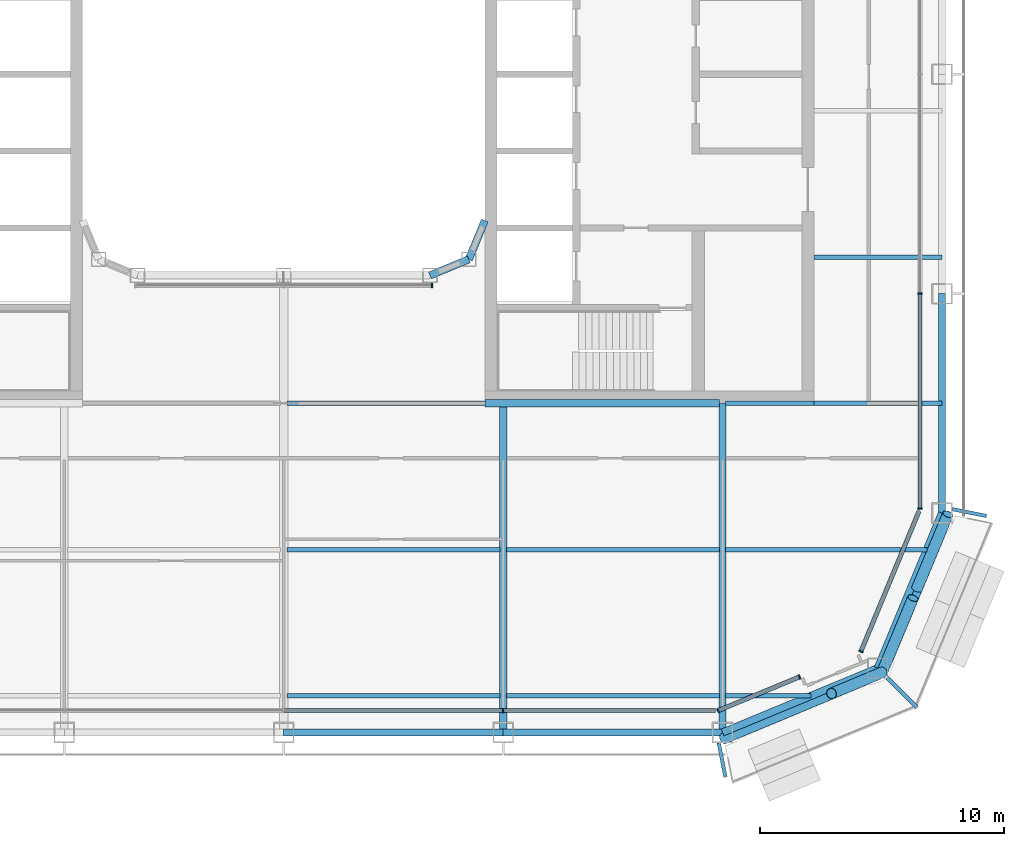
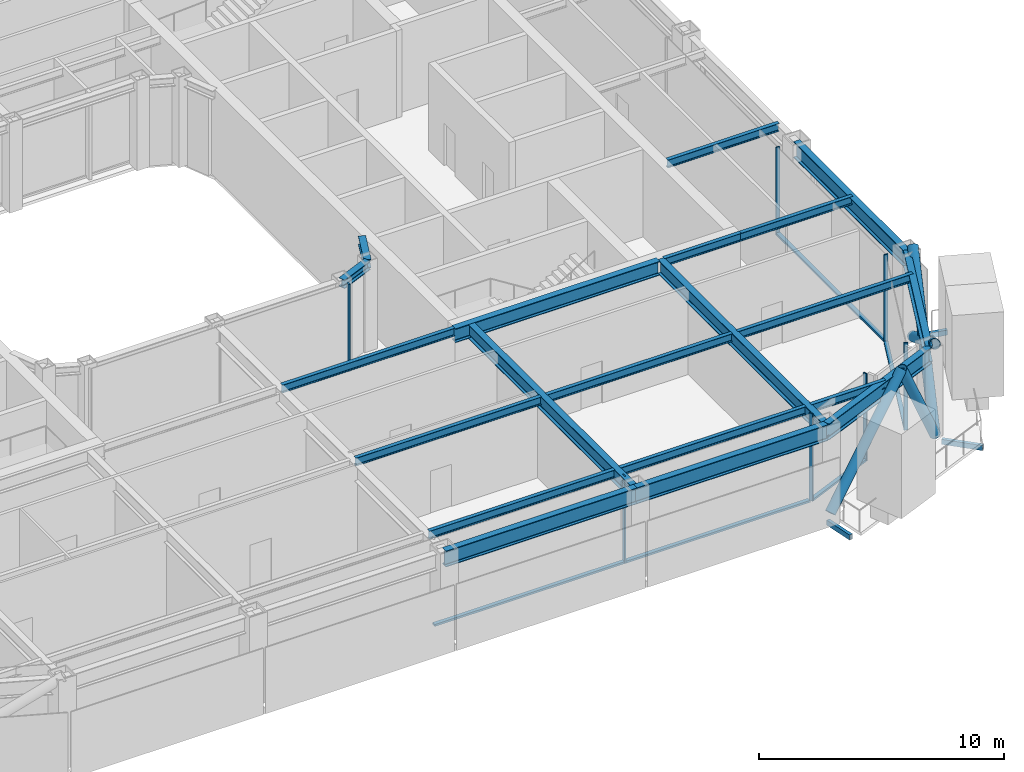
# One storey, part 4 of 22: 23 beams, 17 members, 5 elements without a shape of their own.
"""IFC4 building model written with IfcOpenShell, lengths in metres."""

from ifc_helpers import new_model, si_unit, direction, frame, origin, origin_2d, place, context, subcontext, project, spatial, rectangle, hollow_rectangle, hollow_circle, i_section, extrude, material, layer, layer_set, material_profile, profile_set, type_object, element, aggregate, save


model = new_model("IFC4")

# Units and contexts
model_context = context("Model", 3, precision=1e-05, world=origin(), true_north=direction((0.0, 1.0)))
body_context = subcontext(model_context, "Body", "Model", "MODEL_VIEW")
ifc_project = project(units=[si_unit("LENGTHUNIT", "METRE"), si_unit("AREAUNIT", "SQUARE_METRE"), si_unit("VOLUMEUNIT", "CUBIC_METRE"), si_unit("PLANEANGLEUNIT", "RADIAN"), si_unit("MASSUNIT", "GRAM", prefix="KILO")], contexts=[model_context])

# Site, building, storey
site_placement = place(None, origin())
site = spatial("IfcSite", under=ifc_project, at=site_placement, CompositionType="ELEMENT")
building_placement = place(site_placement, origin())
building = spatial("IfcBuilding", under=site, at=building_placement, Name="Siwar Civic Tower", CompositionType="ELEMENT")
storey_placement = place(building_placement, frame((0.0, 0.0, 219.699951171875)))
storey = spatial("IfcBuildingStorey", under=building, at=storey_placement, Name="L47", CompositionType="ELEMENT", Elevation=219.699951171875)

# Beams
ifc_material_1 = material(Name="Steel S355", Category="steel")
ifc_material_profile_1 = material_profile(ifc_material_1, hollow_rectangle(XDim=0.14990234375, YDim=0.25, WallThickness=0.010009765625, at=origin_2d()), Name="RHS250x150x10")
ifc_profile_set_1 = profile_set([ifc_material_profile_1], Name="Steel S355")
beam_type_1 = type_object("IfcBeamType", Name="ENV-BALCONY ARM", PredefinedType="BEAM", material=ifc_profile_set_1)
beam_1_placement = place(storey_placement, frame((17.83984375, -27.425048828125, -0.27490234375), z_axis=(0.195122471741, -0.980778884878, 0.0), x_axis=(0.980778884878, 0.195122471741, 0.0)))
element("IfcBeam", 1, at=beam_1_placement, inside=storey, type_object=beam_type_1, Name="Balcony cantilever beam SE 1", PredefinedType="BEAM", context=body_context, shape_type="SweptSolid", body=[
    extrude(hollow_rectangle(XDim=0.14990234375, YDim=0.25, WallThickness=0.010009765625, at=origin_2d()), origin(), (0.0, 0.0, 1.0), 1.417724609375),
])
beam_2_placement = place(storey_placement, frame((24.753662109375, -24.753662109375, -0.27490234375), z_axis=(0.707106781187, -0.707106781187, 0.0), x_axis=(0.707106781187, 0.707106781187, 0.0)))
element("IfcBeam", 2, at=beam_2_placement, inside=storey, type_object=beam_type_1, Name="Balcony cantilever beam SE 2", PredefinedType="BEAM", context=body_context, shape_type="SweptSolid", body=[
    extrude(hollow_rectangle(XDim=0.14990234375, YDim=0.25, WallThickness=0.010009765625, at=origin_2d()), origin(), (0.0, 0.0, 1.0), 1.721923828125),
])
beam_3_placement = place(storey_placement, frame((27.425048828125, -17.83984375, -0.27490234375), z_axis=(0.980778884878, -0.195122471741, 0.0), x_axis=(0.195122471741, 0.980778884878, 0.0)))
element("IfcBeam", 3, at=beam_3_placement, inside=storey, type_object=beam_type_1, Name="Balcony cantilever beam SE 3", PredefinedType="BEAM", context=body_context, shape_type="SweptSolid", body=[
    extrude(hollow_rectangle(XDim=0.14990234375, YDim=0.25, WallThickness=0.010009765625, at=origin_2d()), origin(), (0.0, 0.0, 1.0), 1.417724609375),
])

# Curtain wall, member
ifc_material_2 = material(Name="Aluminium and glass", Category="aluminium")
ifc_layer_1 = layer(ifc_material_2, 0.179931640625)
ifc_layer_set_1 = layer_set([ifc_layer_1], Name="Aluminium and glass")
curtain_wall_type_1 = type_object("IfcCurtainWallType", Name="ENV-CW-C", PredefinedType="NOTDEFINED", material=ifc_layer_set_1)
curtain_wall_1_placement = place(storey_placement, origin())
curtain_wall_1 = element("IfcCurtainWall", 4, at=curtain_wall_1_placement, inside=storey, type_object=curtain_wall_type_1, Name="Curtain wall C S", PredefinedType="NOTDEFINED")
ifc_material_3 = material(Name="Aluminium 6063-T6", Category="aluminium")
ifc_material_profile_2 = material_profile(ifc_material_3, rectangle(XDim=0.179931640625, YDim=0.06005859375, at=origin_2d()), Name="AL 180x60")
ifc_profile_set_2 = profile_set([ifc_material_profile_2], Name="Aluminium 6063-T6")
member_type_1 = type_object("IfcMemberType", Name="ENV-MULLION-C", PredefinedType="MULLION", material=ifc_profile_set_2)
member_1_placement = place(storey_placement, frame((9.0, -26.10009765625, 0.0), z_axis=(0.0, 0.0, 1.0), x_axis=(0.0, 1.0, 0.0)))
member_1 = element("IfcMember", 5, at=member_1_placement, type_object=member_type_1, Name="Mullion C S 4", PredefinedType="MULLION", context=body_context, shape_type="SweptSolid", body=[
    extrude(rectangle(XDim=0.179931640625, YDim=0.06005859375, at=origin_2d()), origin(), (0.0, 0.0, 1.0), 4.35009765625),
])

# Curtain wall, members
ifc_material_4 = material(Name="Aluminium clad insulated panel", Category="aluminium")
ifc_layer_2 = layer(ifc_material_4, 0.179931640625)
ifc_layer_set_2 = layer_set([ifc_layer_2], Name="Aluminium clad insulated panel")
curtain_wall_type_2 = type_object("IfcCurtainWallType", Name="ENV-CW-CX", PredefinedType="NOTDEFINED", material=ifc_layer_set_2)
curtain_wall_2_placement = place(storey_placement, origin())
curtain_wall_2 = element("IfcCurtainWall", 6, at=curtain_wall_2_placement, inside=storey, type_object=curtain_wall_type_2, Name="Curtain wall C SE1", PredefinedType="NOTDEFINED")
member_2_placement = place(storey_placement, frame((17.821044921875, -26.10009765625, 0.0), z_axis=(0.0, 0.0, 1.0), x_axis=(-0.382683432365, 0.923879532511, 0.0)))
member_2 = element("IfcMember", 7, at=member_2_placement, type_object=member_type_1, Name="Mullion C SE1 1", PredefinedType="MULLION", context=body_context, shape_type="SweptSolid", body=[
    extrude(rectangle(XDim=0.179931640625, YDim=0.06005859375, at=origin_2d()), origin(), (0.0, 0.0, 1.0), 4.35009765625),
])
member_3_placement = place(storey_placement, frame((21.153564453125, -24.719482421875, 0.0), z_axis=(0.0, 0.0, 1.0), x_axis=(-0.382683432365, 0.923879532511, 0.0)))
member_3 = element("IfcMember", 8, at=member_3_placement, type_object=member_type_1, Name="Mullion C SE1 2", PredefinedType="MULLION", context=body_context, shape_type="SweptSolid", body=[
    extrude(rectangle(XDim=0.179931640625, YDim=0.06005859375, at=origin_2d()), origin(), (0.0, 0.0, 1.0), 4.35009765625),
])

# Curtain wall, member
curtain_wall_3_placement = place(storey_placement, origin())
curtain_wall_3 = element("IfcCurtainWall", 9, at=curtain_wall_3_placement, inside=storey, type_object=curtain_wall_type_2, Name="Curtain wall C SE2", PredefinedType="NOTDEFINED")
member_4_placement = place(storey_placement, frame((23.675048828125, -23.675048828125, 0.0), z_axis=(0.0, 0.0, 1.0), x_axis=(-0.923879532511, 0.382683432365, 0.0)))
member_4 = element("IfcMember", 10, at=member_4_placement, type_object=member_type_1, Name="Mullion C SE2 1", PredefinedType="MULLION", context=body_context, shape_type="SweptSolid", body=[
    extrude(rectangle(XDim=0.179931640625, YDim=0.06005859375, at=origin_2d()), origin(), (0.0, 0.0, 1.0), 4.35009765625),
])

# Curtain wall, members
curtain_wall_4_placement = place(storey_placement, origin())
curtain_wall_4 = element("IfcCurtainWall", 11, at=curtain_wall_4_placement, inside=storey, type_object=curtain_wall_type_1, Name="Curtain wall C E", PredefinedType="NOTDEFINED")
member_5_placement = place(storey_placement, frame((26.10009765625, -17.821044921875, 0.0), z_axis=(0.0, 0.0, 1.0), x_axis=(-1.0, 0.0, 0.0)))
member_5 = element("IfcMember", 12, at=member_5_placement, type_object=member_type_1, Name="Mullion C E 1", PredefinedType="MULLION", context=body_context, shape_type="SweptSolid", body=[
    extrude(rectangle(XDim=0.179931640625, YDim=0.06005859375, at=origin_2d()), origin(), (0.0, 0.0, 1.0), 4.35009765625),
])
member_6_placement = place(storey_placement, frame((26.10009765625, -9.0, 0.0), z_axis=(0.0, 0.0, 1.0), x_axis=(-1.0, 0.0, 0.0)))
member_6 = element("IfcMember", 13, at=member_6_placement, type_object=member_type_1, Name="Mullion C E 2", PredefinedType="MULLION", context=body_context, shape_type="SweptSolid", body=[
    extrude(rectangle(XDim=0.179931640625, YDim=0.06005859375, at=origin_2d()), origin(), (0.0, 0.0, 1.0), 4.35009765625),
])

# Curtain wall, member
ifc_material_5 = material(Name="Aluminium and glass", Category="aluminium")
ifc_layer_3 = layer(ifc_material_5, 0.179931640625)
ifc_layer_set_3 = layer_set([ifc_layer_3], Name="Aluminium and glass")
curtain_wall_type_3 = type_object("IfcCurtainWallType", Name="ENV-CW-W", PredefinedType="NOTDEFINED", material=ifc_layer_set_3)
curtain_wall_5_placement = place(storey_placement, origin())
curtain_wall_5 = element("IfcCurtainWall", 14, at=curtain_wall_5_placement, inside=storey, type_object=curtain_wall_type_3, Name="Curtain wall W WS", PredefinedType="NOTDEFINED")
ifc_material_6 = material(Name="Aluminium 6063-T6", Category="aluminium")
ifc_material_profile_3 = material_profile(ifc_material_6, rectangle(XDim=0.179931640625, YDim=0.06005859375, at=origin_2d()), Name="AL 180x60")
ifc_profile_set_3 = profile_set([ifc_material_profile_3], Name="Aluminium 6063-T6")
member_type_2 = type_object("IfcMemberType", Name="ENV-MULLION-W", PredefinedType="MULLION", material=ifc_profile_set_3)
member_7_placement = place(storey_placement, frame((6.08154296875, -8.659912109375, 0.0), z_axis=(0.0, 0.0, 1.0), x_axis=(0.0, 1.0, 0.0)))
member_7 = element("IfcMember", 15, at=member_7_placement, type_object=member_type_2, Name="Mullion W WS 3", PredefinedType="MULLION", context=body_context, shape_type="SweptSolid", body=[
    extrude(rectangle(XDim=0.179931640625, YDim=0.06005859375, at=origin_2d()), origin(), (0.0, 0.0, 1.0), 4.35009765625),
])
aggregate(curtain_wall_5, [member_7])

# Member
ifc_material_7 = material(Name="Aluminium 6063-T6", Category="aluminium")
ifc_material_profile_4 = material_profile(ifc_material_7, rectangle(XDim=0.179931640625, YDim=0.10009765625, at=origin_2d()), Name="AL 180x100")
ifc_profile_set_4 = profile_set([ifc_material_profile_4], Name="Aluminium 6063-T6")
member_type_3 = type_object("IfcMemberType", Name="ENV-TRANSOM-C", PredefinedType="USERDEFINED", material=ifc_profile_set_4)
member_8_placement = place(storey_placement, frame((0.030029296875, -26.10009765625, 0.050048828125), z_axis=(1.0, 0.0, 0.0), x_axis=(0.0, 1.0, 0.0)))
member_8 = element("IfcMember", 16, at=member_8_placement, type_object=member_type_3, Name="Transom C S 3", ObjectType="TRANSOM", PredefinedType="USERDEFINED", context=body_context, shape_type="SweptSolid", body=[
    extrude(rectangle(XDim=0.179931640625, YDim=0.10009765625, at=origin_2d()), origin(), (0.0, 0.0, 1.0), 8.93994140625),
])

member_9_placement = place(storey_placement, frame((9.030029296875, -26.10009765625, 0.050048828125), z_axis=(1.0, 0.0, 0.0), x_axis=(0.0, 1.0, 0.0)))
member_9 = element("IfcMember", 17, at=member_9_placement, type_object=member_type_3, Name="Transom C S 4", ObjectType="TRANSOM", PredefinedType="USERDEFINED", context=body_context, shape_type="SweptSolid", body=[
    extrude(rectangle(XDim=0.179931640625, YDim=0.10009765625, at=origin_2d()), origin(), (0.0, 0.0, 1.0), 8.68603515625),
])

aggregate(curtain_wall_1, [member_1, member_8, member_9])

member_10_placement = place(storey_placement, frame((17.8486328125, -26.088623046875, 0.050048828125), z_axis=(0.92386500214, 0.3827185099, 0.0), x_axis=(-0.3827185099, 0.92386500214, 0.0)))
member_10 = element("IfcMember", 18, at=member_10_placement, type_object=member_type_3, Name="Transom C SE1 1", ObjectType="TRANSOM", PredefinedType="USERDEFINED", context=body_context, shape_type="SweptSolid", body=[
    extrude(rectangle(XDim=0.179931640625, YDim=0.10009765625, at=origin_2d()), origin(), (0.0, 0.0, 1.0), 3.54736328125),
])

aggregate(curtain_wall_2, [member_2, member_3, member_10])

member_11_placement = place(storey_placement, frame((23.6865234375, -23.6474609375, 0.050048828125), z_axis=(0.382691366456, 0.923876246063, 0.0), x_axis=(-0.923876246063, 0.382691366456, 0.0)))
member_11 = element("IfcMember", 19, at=member_11_placement, type_object=member_type_3, Name="Transom C SE2 1", ObjectType="TRANSOM", PredefinedType="USERDEFINED", context=body_context, shape_type="SweptSolid", body=[
    extrude(rectangle(XDim=0.179931640625, YDim=0.10009765625, at=origin_2d()), origin(), (0.0, 0.0, 1.0), 6.20166015625),
])

aggregate(curtain_wall_3, [member_4, member_11])

member_12_placement = place(storey_placement, frame((26.10009765625, -17.791015625, 0.050048828125), z_axis=(0.0, 1.0, 0.0), x_axis=(-1.0, 0.0, 0.0)))
member_12 = element("IfcMember", 20, at=member_12_placement, type_object=member_type_3, Name="Transom C E 1", ObjectType="TRANSOM", PredefinedType="USERDEFINED", context=body_context, shape_type="SweptSolid", body=[
    extrude(rectangle(XDim=0.179931640625, YDim=0.10009765625, at=origin_2d()), origin(), (0.0, 0.0, 1.0), 8.760986328125),
])

aggregate(curtain_wall_4, [member_5, member_6, member_12])

# Members
ifc_material_8 = material(Name="Steel S355", Category="steel")
ifc_material_profile_5 = material_profile(ifc_material_8, hollow_circle(Radius=0.228515625, WallThickness=0.02001953125, at=origin_2d()), Name="CHS457x20")
ifc_profile_set_5 = profile_set([ifc_material_profile_5], Name="Steel S355")
member_type_4 = type_object("IfcMemberType", Name="STR-BR-CHS457x20", PredefinedType="BRACE", material=ifc_profile_set_5)
member_13_placement = place(storey_placement, frame((27.2451171875, -18.048828125, 0.0), z_axis=(-0.323905527954, -0.777554562952, 0.538975055633), x_axis=(0.923108759191, -0.384538969033, 0.0)))
element("IfcMember", 21, at=member_13_placement, inside=storey, type_object=member_type_4, Name="L47/brc/CSE1-7-0-1", PredefinedType="BRACE", context=body_context, shape_type="SweptSolid", body=[
    extrude(hollow_circle(Radius=0.228515625, WallThickness=0.02001953125, at=origin_2d()), origin(), (0.0, 0.0, 1.0), 8.34912109375),
])
for number, where, z_axis, x_axis, name in (
    (22, (24.540771484375, -24.540771484375, 0.0), (0.323884455881, 0.777546448489, 0.538999424564), (-0.92311621485, 0.38452107079, 0.0), "L47/brc/CSE1-7-0-2"),
    (23, (25.972900390625, -21.10302734375, 2.383056640625), (0.323895306243, 0.777572496853, 0.538955325357), (-0.92311621485, 0.38452107079, 0.0), "L47/brc/CSE1-7-0-3"),
):
    element("IfcMember", number, at=place(storey_placement, frame(where, z_axis=z_axis, x_axis=x_axis)), inside=storey, type_object=member_type_4, Name=name, PredefinedType="BRACE", context=body_context, shape_type="SweptSolid", body=[
        extrude(hollow_circle(Radius=0.228515625, WallThickness=0.02001953125, at=origin_2d()), origin(), (0.0, 0.0, 1.0), 3.927978515625),
    ])
member_14_placement = place(storey_placement, frame((18.048828125, -27.2451171875, 0.0), z_axis=(0.672864582402, 0.280310719993, 0.684601456328), x_axis=(-0.384557494138, 0.923101041979, 0.0)))
element("IfcMember", 24, at=member_14_placement, inside=storey, type_object=member_type_4, Name="L47/brc/CSE1-7-0-0", PredefinedType="BRACE", context=body_context, shape_type="SweptSolid", body=[
    extrude(hollow_circle(Radius=0.228515625, WallThickness=0.02001953125, at=origin_2d()), origin(), (0.0, 0.0, 1.0), 6.5732421875),
])
member_15_placement = place(storey_placement, frame((24.540771484375, -24.540771484375, 0.0), z_axis=(-0.411570178484, -0.171426870802, 0.895110504993), x_axis=(0.384499368559, -0.923125254544, 0.0)))
element("IfcMember", 25, at=member_15_placement, inside=storey, type_object=member_type_4, Name="L47/brc/CSE1-7-0-6", PredefinedType="BRACE", context=body_context, shape_type="SweptSolid", body=[
    extrude(hollow_circle(Radius=0.228515625, WallThickness=0.02001953125, at=origin_2d()), origin(), (0.0, 0.0, 1.0), 5.02734375),
])

# Beams
ifc_material_9 = material(Name="Steel S355", Category="steel")
ifc_material_profile_6 = material_profile(ifc_material_9, i_section(OverallWidth=0.179931640625, OverallDepth=0.39990234375, WebThickness=0.008544921875, FlangeThickness=0.013427734375, FilletRadius=0.02099609375, at=origin_2d()), Name="IPE400")
ifc_profile_set_6 = profile_set([ifc_material_profile_6], Name="Steel S355")
beam_type_2 = type_object("IfcBeamType", Name="STR-FB-IPE400", PredefinedType="JOIST", material=ifc_profile_set_6)
for number, where, z_axis, x_axis, name in (
    (26, (0.1298828125, -25.5, 4.150146484375), (1.0, 0.0, 0.0), (0.0, 1.0, 0.0), "L47/bm/F004"),
    (27, (9.1298828125, -25.5, 4.150146484375), (1.0, 0.0, 0.0), (0.0, 1.0, 0.0), "L47/bm/F005"),
):
    element("IfcBeam", number, at=place(storey_placement, frame(where, z_axis=z_axis, x_axis=x_axis)), inside=storey, type_object=beam_type_2, Name=name, PredefinedType="JOIST", context=body_context, shape_type="SweptSolid", body=[
        extrude(i_section(OverallWidth=0.179931640625, OverallDepth=0.39990234375, WebThickness=0.008544921875, FlangeThickness=0.013427734375, FilletRadius=0.02099609375, at=origin_2d()), origin(), (0.0, 0.0, 1.0), 8.740234375),
    ])
beam_4_placement = place(storey_placement, frame((18.1298828125, -25.5, 4.150146484375), z_axis=(1.0, 0.0, 0.0), x_axis=(0.0, 1.0, 0.0)))
element("IfcBeam", 28, at=beam_4_placement, inside=storey, type_object=beam_type_2, Name="L47/bm/F006", PredefinedType="JOIST", context=body_context, shape_type="SweptSolid", body=[
    extrude(i_section(OverallWidth=0.179931640625, OverallDepth=0.39990234375, WebThickness=0.008544921875, FlangeThickness=0.013427734375, FilletRadius=0.02099609375, at=origin_2d()), origin(), (0.0, 0.0, 1.0), 3.491455078125),
])
for number, where, z_axis, x_axis, name in (
    (29, (0.1298828125, -19.5, 4.150146484375), (1.0, 0.0, 0.0), (0.0, 1.0, 0.0), "L47/bm/F010"),
    (30, (9.1298828125, -19.5, 4.150146484375), (1.0, 0.0, 0.0), (0.0, 1.0, 0.0), "L47/bm/F011"),
):
    element("IfcBeam", number, at=place(storey_placement, frame(where, z_axis=z_axis, x_axis=x_axis)), inside=storey, type_object=beam_type_2, Name=name, PredefinedType="JOIST", context=body_context, shape_type="SweptSolid", body=[
        extrude(i_section(OverallWidth=0.179931640625, OverallDepth=0.39990234375, WebThickness=0.008544921875, FlangeThickness=0.013427734375, FilletRadius=0.02099609375, at=origin_2d()), origin(), (0.0, 0.0, 1.0), 8.740234375),
    ])
beam_5_placement = place(storey_placement, frame((18.1298828125, -19.5, 4.150146484375), z_axis=(1.0, 0.0, 0.0), x_axis=(0.0, 1.0, 0.0)))
element("IfcBeam", 31, at=beam_5_placement, inside=storey, type_object=beam_type_2, Name="L47/bm/F012", PredefinedType="JOIST", context=body_context, shape_type="SweptSolid", body=[
    extrude(i_section(OverallWidth=0.179931640625, OverallDepth=0.39990234375, WebThickness=0.008544921875, FlangeThickness=0.013427734375, FilletRadius=0.02099609375, at=origin_2d()), origin(), (0.0, 0.0, 1.0), 8.248779296875),
])
beam_6_placement = place(storey_placement, frame((0.1298828125, -13.5, 4.150146484375), z_axis=(1.0, 0.0, 0.0), x_axis=(0.0, 1.0, 0.0)))
element("IfcBeam", 32, at=beam_6_placement, inside=storey, type_object=beam_type_2, Name="L47/bm/F017", PredefinedType="JOIST", context=body_context, shape_type="SweptSolid", body=[
    extrude(i_section(OverallWidth=0.179931640625, OverallDepth=0.39990234375, WebThickness=0.008544921875, FlangeThickness=0.013427734375, FilletRadius=0.02099609375, at=origin_2d()), origin(), (0.0, 0.0, 1.0), 8.1201171875),
])
beam_7_placement = place(storey_placement, frame((18.1298828125, -13.5, 4.150146484375), z_axis=(1.0, 0.0, 0.0), x_axis=(0.0, 1.0, 0.0)))
element("IfcBeam", 33, at=beam_7_placement, inside=storey, type_object=beam_type_2, Name="L47/bm/F019", PredefinedType="JOIST", context=body_context, shape_type="SweptSolid", body=[
    extrude(i_section(OverallWidth=0.179931640625, OverallDepth=0.39990234375, WebThickness=0.008544921875, FlangeThickness=0.013427734375, FilletRadius=0.02099609375, at=origin_2d()), origin(), (0.0, 0.0, 1.0), 3.6201171875),
])
for number, where, z_axis, x_axis, name in (
    (34, (21.75, -13.5, 4.150146484375), (1.0, 0.0, 0.0), (0.0, 1.0, 0.0), "L47/bm/F020"),
    (35, (21.75, -7.5, 4.150146484375), (1.0, 0.0, 0.0), (0.0, 1.0, 0.0), "L47/bm/F022"),
):
    element("IfcBeam", number, at=place(storey_placement, frame(where, z_axis=z_axis, x_axis=x_axis)), inside=storey, type_object=beam_type_2, Name=name, PredefinedType="JOIST", context=body_context, shape_type="SweptSolid", body=[
        extrude(i_section(OverallWidth=0.179931640625, OverallDepth=0.39990234375, WebThickness=0.008544921875, FlangeThickness=0.013427734375, FilletRadius=0.02099609375, at=origin_2d()), origin(), (0.0, 0.0, 1.0), 5.25),
    ])
ifc_material_10 = material(Name="Steel S355", Category="steel")
ifc_material_profile_7 = material_profile(ifc_material_10, i_section(OverallWidth=0.300048828125, OverallDepth=0.699951171875, WebThickness=0.01708984375, FlangeThickness=0.031982421875, FilletRadius=0.027099609375, at=origin_2d()), Name="HEB700")
ifc_profile_set_7 = profile_set([ifc_material_profile_7], Name="Steel S355")
beam_type_3 = type_object("IfcBeamType", Name="STR-PG-HEB700", PredefinedType="BEAM", material=ifc_profile_set_7)
for number, where, z_axis, x_axis, name in (
    (36, (9.0, -27.0, 4.0), (0.0, 1.0, 0.0), (-1.0, 0.0, 0.0), "L47/bm/G07"),
    (37, (18.0, -27.0, 4.0), (0.0, 1.0, 0.0), (-1.0, 0.0, 0.0), "L47/bm/G09"),
):
    element("IfcBeam", number, at=place(storey_placement, frame(where, z_axis=z_axis, x_axis=x_axis)), inside=storey, type_object=beam_type_3, Name=name, PredefinedType="BEAM", context=body_context, shape_type="SweptSolid", body=[
        extrude(i_section(OverallWidth=0.300048828125, OverallDepth=0.699951171875, WebThickness=0.01708984375, FlangeThickness=0.031982421875, FilletRadius=0.027099609375, at=origin_2d()), origin(), (0.0, 0.0, 1.0), 13.5),
    ])
beam_8_placement = place(storey_placement, frame((8.25, -13.5, 4.0), z_axis=(1.0, 0.0, 0.0), x_axis=(0.0, 1.0, 0.0)))
element("IfcBeam", 38, at=beam_8_placement, inside=storey, type_object=beam_type_3, Name="L47/bm/F018", PredefinedType="BEAM", context=body_context, shape_type="SweptSolid", body=[
    extrude(i_section(OverallWidth=0.300048828125, OverallDepth=0.699951171875, WebThickness=0.01708984375, FlangeThickness=0.031982421875, FilletRadius=0.027099609375, at=origin_2d()), origin(), (0.0, 0.0, 1.0), 9.6201171875),
])
ifc_material_11 = material(Name="Steel S355", Category="steel")
ifc_material_profile_8 = material_profile(ifc_material_11, i_section(OverallWidth=0.306884765625, OverallDepth=0.431884765625, WebThickness=0.02099609375, FlangeThickness=0.0400390625, FilletRadius=0.027099609375, at=origin_2d()), Name="HEM400")
ifc_profile_set_8 = profile_set([ifc_material_profile_8], Name="Steel S355")
beam_type_4 = type_object("IfcBeamType", Name="STR-RB-HEM400", PredefinedType="BEAM", material=ifc_profile_set_8)
for number, where, z_axis, x_axis, name in (
    (39, (6.0, -8.25, 4.134033203125), (0.923901072997, 0.382631424892, 0.0), (-0.382631424892, 0.923901072997, 0.0), "L47/bm/RS3"),
    (40, (7.591064453125, -7.591064453125, 4.134033203125), (0.382631424892, 0.923901072997, 0.0), (-0.923901072997, 0.382631424892, 0.0), "L47/bm/RSEE"),
):
    element("IfcBeam", number, at=place(storey_placement, frame(where, z_axis=z_axis, x_axis=x_axis)), inside=storey, type_object=beam_type_4, Name=name, PredefinedType="BEAM", context=body_context, shape_type="SweptSolid", body=[
        extrude(i_section(OverallWidth=0.306884765625, OverallDepth=0.431884765625, WebThickness=0.02099609375, FlangeThickness=0.0400390625, FilletRadius=0.027099609375, at=origin_2d()), origin(), (0.0, 0.0, 1.0), 1.72216796875),
    ])
ifc_material_12 = material(Name="Steel S355", Category="steel")
ifc_material_profile_9 = material_profile(ifc_material_12, i_section(OverallWidth=0.300048828125, OverallDepth=0.800048828125, WebThickness=0.017578125, FlangeThickness=0.032958984375, FilletRadius=0.030029296875, at=origin_2d()), Name="HEB800")
ifc_profile_set_9 = profile_set([ifc_material_profile_9], Name="Steel S355")
beam_type_5 = type_object("IfcBeamType", Name="STR-SB-HEB800", PredefinedType="BEAM", material=ifc_profile_set_9)
for number, where, z_axis, x_axis, name in (
    (41, (0.0, -27.0, 3.949951171875), (1.0, 0.0, 0.0), (0.0, 1.0, 0.0), "L47/bm/SS-2"),
    (42, (9.0, -27.0, 3.949951171875), (1.0, 0.0, 0.0), (0.0, 1.0, 0.0), "L47/bm/SS-3"),
):
    element("IfcBeam", number, at=place(storey_placement, frame(where, z_axis=z_axis, x_axis=x_axis)), inside=storey, type_object=beam_type_5, Name=name, PredefinedType="BEAM", context=body_context, shape_type="SweptSolid", body=[
        extrude(i_section(OverallWidth=0.300048828125, OverallDepth=0.800048828125, WebThickness=0.017578125, FlangeThickness=0.032958984375, FilletRadius=0.030029296875, at=origin_2d()), origin(), (0.0, 0.0, 1.0), 9.0),
    ])
for number, where, z_axis, x_axis, name in (
    (43, (18.0, -27.0, 3.949951171875), (0.923883353507, 0.382674207535, 0.0), (-0.382674207535, 0.923883353507, 0.0), "L47/bm/SSE1-0"),
    (44, (24.364013671875, -24.364013671875, 3.949951171875), (0.382674207535, 0.923883353507, 0.0), (-0.923883353507, 0.382674207535, 0.0), "L47/bm/SSE2-0"),
):
    element("IfcBeam", number, at=place(storey_placement, frame(where, z_axis=z_axis, x_axis=x_axis)), inside=storey, type_object=beam_type_5, Name=name, PredefinedType="BEAM", context=body_context, shape_type="SweptSolid", body=[
        extrude(i_section(OverallWidth=0.300048828125, OverallDepth=0.800048828125, WebThickness=0.017578125, FlangeThickness=0.032958984375, FilletRadius=0.030029296875, at=origin_2d()), origin(), (0.0, 0.0, 1.0), 6.888427734375),
    ])
beam_9_placement = place(storey_placement, frame((27.0, -18.0, 3.949951171875), z_axis=(0.0, 1.0, 0.0), x_axis=(-1.0, 0.0, 0.0)))
element("IfcBeam", 45, at=beam_9_placement, inside=storey, type_object=beam_type_5, Name="L47/bm/SE-0", PredefinedType="BEAM", context=body_context, shape_type="SweptSolid", body=[
    extrude(i_section(OverallWidth=0.300048828125, OverallDepth=0.800048828125, WebThickness=0.017578125, FlangeThickness=0.032958984375, FilletRadius=0.030029296875, at=origin_2d()), origin(), (0.0, 0.0, 1.0), 9.0),
])

save(model, "model.ifc")
